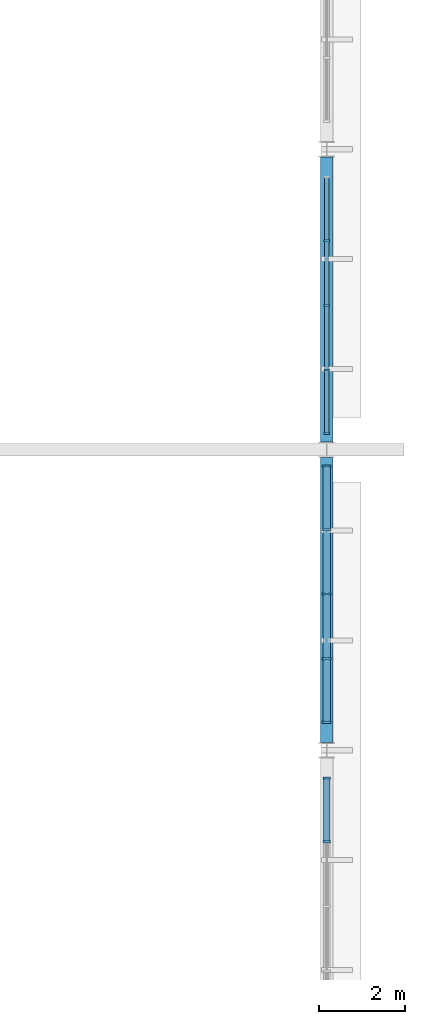
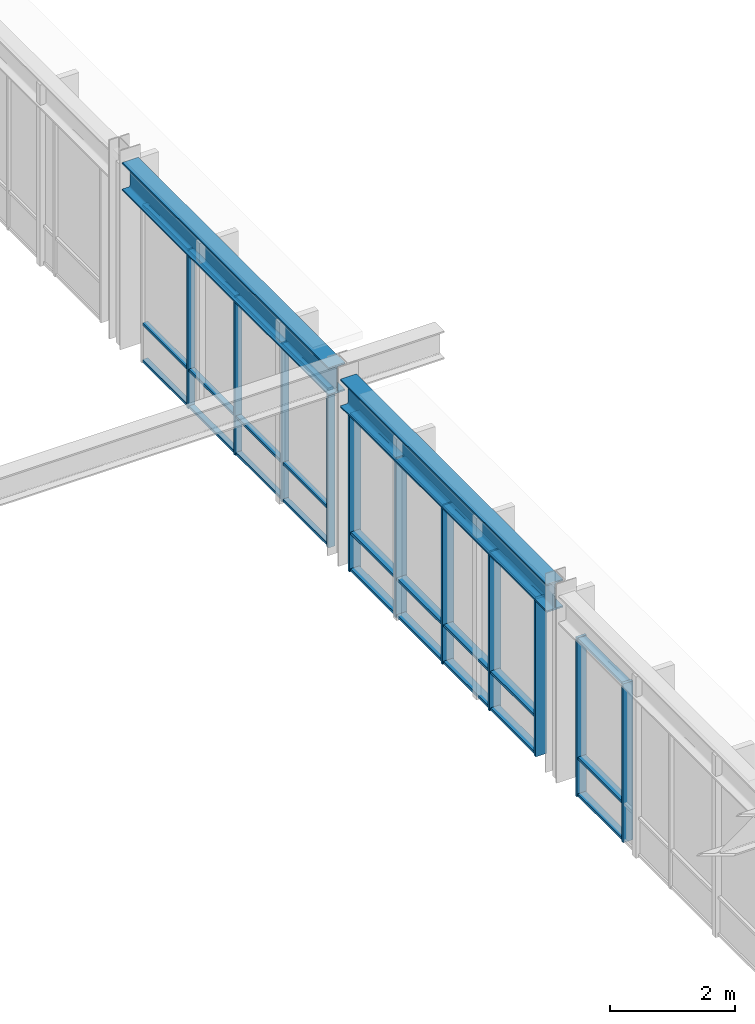
# One storey, part 31 of 98: 38 members, 2 beams, 3 elements without a shape of their own.
"""IFC4 building model written with IfcOpenShell, lengths in metres."""

from ifc_helpers import new_model, si_unit, direction, frame, origin, origin_2d, place, context, subcontext, project, spatial, rectangle, i_section, extrude, material, material_profile, profile_set, type_object, element, aggregate, save


model = new_model("IFC4")

# Units and contexts
model_context = context("Model", 3, precision=1e-05, world=origin(), true_north=direction((0.0, 1.0)))
body_context = subcontext(model_context, "Body", "Model", "MODEL_VIEW")
ifc_project = project(units=[si_unit("LENGTHUNIT", "METRE"), si_unit("AREAUNIT", "SQUARE_METRE"), si_unit("VOLUMEUNIT", "CUBIC_METRE"), si_unit("PLANEANGLEUNIT", "RADIAN"), si_unit("MASSUNIT", "GRAM", prefix="KILO")], contexts=[model_context])

# Site, building, storey
site_placement = place(None, origin())
site = spatial("IfcSite", under=ifc_project, at=site_placement, CompositionType="ELEMENT")
building_placement = place(site_placement, origin())
building = spatial("IfcBuilding", under=site, at=building_placement, Name="Larkveld Mobility Hub", CompositionType="ELEMENT")
storey_placement = place(building_placement, frame((0.0, 0.0, 4.5)))
storey = spatial("IfcBuildingStorey", under=building, at=storey_placement, Name="L01", CompositionType="ELEMENT", Elevation=4.5)

# Beams
ifc_material_1 = material(Name="Steel S355JR", Category="steel")
ifc_material_profile_1 = material_profile(ifc_material_1, i_section(OverallWidth=0.300048828125, OverallDepth=0.550048828125, WebThickness=0.014892578125, FlangeThickness=0.029052734375, FilletRadius=0.027099609375, at=origin_2d()), Name="HEB 550")
ifc_profile_set_1 = profile_set([ifc_material_profile_1], Name="Steel S355JR")
beam_type = type_object("IfcBeamType", Name="BM-STHEB550", PredefinedType="BEAM", material=ifc_profile_set_1)
for number, where, z_axis, x_axis, name in (
    (1, (184.0, 35.18408203125, 3.385009765625), (0.0, 1.0, 0.0), (-1.0, 0.0, 0.0), "Primary N-S Girder L01-0471"),
    (2, (184.0, 42.18408203125, 3.385009765625), (0.0, 1.0, 0.0), (-1.0, 0.0, 0.0), "Primary N-S Girder L01-0472"),
):
    element("IfcBeam", number, at=place(storey_placement, frame(where, z_axis=z_axis, x_axis=x_axis)), inside=storey, type_object=beam_type, Name=name, PredefinedType="BEAM", context=body_context, shape_type="SweptSolid", body=[
        extrude(i_section(OverallWidth=0.300048828125, OverallDepth=0.550048828125, WebThickness=0.014892578125, FlangeThickness=0.029052734375, FilletRadius=0.027099609375, at=origin_2d()), origin(), (0.0, 0.0, 1.0), 6.6318359375),
    ])

# Curtain wall, members
ifc_material_2 = material(Name="Anodised aluminium 6063-T6", Category="aluminium")
curtain_wall_type_1 = type_object("IfcCurtainWallType", Name="CW-SYS-02", PredefinedType="NOTDEFINED", material=ifc_material_2)
curtain_wall_1_placement = place(storey_placement, origin())
curtain_wall_1 = element("IfcCurtainWall", 3, at=curtain_wall_1_placement, inside=storey, type_object=curtain_wall_type_1, Name="Bus Hall Upper East Glazing B1 CW-050", PredefinedType="NOTDEFINED")
ifc_material_profile_2 = material_profile(ifc_material_2, rectangle(XDim=0.050048828125, YDim=0.179931640625, at=origin_2d()), Name="ALU MULL 50x180")
ifc_profile_set_2 = profile_set([ifc_material_profile_2], Name="Anodised aluminium 6063-T6")
member_type_1 = type_object("IfcMemberType", Name="CW-MUL-02", PredefinedType="MULLION", material=ifc_profile_set_2)
member_1_placement = place(storey_placement, frame((184.0, 32.867919921875, -0.001953125), z_axis=(0.0, 0.0, 1.0), x_axis=(0.0, 1.0, 0.0)))
member_1 = element("IfcMember", 4, at=member_1_placement, type_object=member_type_1, Name="CW02 mullion 4", PredefinedType="MULLION", context=body_context, shape_type="SweptSolid", body=[
    extrude(rectangle(XDim=0.050048828125, YDim=0.179931640625, at=origin_2d()), origin(), (0.0, 0.0, 1.0), 3.112060546875),
])
member_2_placement = place(storey_placement, frame((184.0, 34.34912109375, -0.001953125), z_axis=(0.0, 0.0, 1.0), x_axis=(0.0, 1.0, 0.0)))
member_2 = element("IfcMember", 5, at=member_2_placement, type_object=member_type_1, Name="CW02 mullion 5", PredefinedType="MULLION", context=body_context, shape_type="SweptSolid", body=[
    extrude(rectangle(XDim=0.050048828125, YDim=0.179931640625, at=origin_2d()), origin(), (0.0, 0.0, 1.0), 3.112060546875),
])

curtain_wall_type_2 = type_object("IfcCurtainWallType", Name="CW-SYS-03", PredefinedType="NOTDEFINED", material=ifc_material_2)
curtain_wall_2_placement = place(storey_placement, origin())
curtain_wall_2 = element("IfcCurtainWall", 6, at=curtain_wall_2_placement, inside=storey, type_object=curtain_wall_type_2, Name="Bus Hall Upper East Glazing B1 CW-051", PredefinedType="NOTDEFINED")
ifc_material_profile_3 = material_profile(ifc_material_2, rectangle(XDim=0.050048828125, YDim=0.2099609375, at=origin_2d()), Name="ALU MULL 50x210")
ifc_profile_set_3 = profile_set([ifc_material_profile_3], Name="Anodised aluminium 6063-T6")
member_type_2 = type_object("IfcMemberType", Name="CW-MUL-03", PredefinedType="MULLION", material=ifc_profile_set_3)
member_3_placement = place(storey_placement, frame((184.0, 35.65087890625, -0.001953125), z_axis=(0.0, 0.0, 1.0), x_axis=(0.0, 1.0, 0.0)))
member_3 = element("IfcMember", 7, at=member_3_placement, type_object=member_type_2, Name="CW03 mullion 1", PredefinedType="MULLION", context=body_context, shape_type="SweptSolid", body=[
    extrude(rectangle(XDim=0.050048828125, YDim=0.2099609375, at=origin_2d()), origin(), (0.0, 0.0, 1.0), 3.112060546875),
])
member_4_placement = place(storey_placement, frame((184.0, 37.132080078125, -0.001953125), z_axis=(0.0, 0.0, 1.0), x_axis=(0.0, 1.0, 0.0)))
member_4 = element("IfcMember", 8, at=member_4_placement, type_object=member_type_2, Name="CW03 mullion 2", PredefinedType="MULLION", context=body_context, shape_type="SweptSolid", body=[
    extrude(rectangle(XDim=0.050048828125, YDim=0.2099609375, at=origin_2d()), origin(), (0.0, 0.0, 1.0), 3.112060546875),
])
member_5_placement = place(storey_placement, frame((184.0, 38.637939453125, -0.001953125), z_axis=(0.0, 0.0, 1.0), x_axis=(0.0, 1.0, 0.0)))
member_5 = element("IfcMember", 9, at=member_5_placement, type_object=member_type_2, Name="CW03 mullion 3", PredefinedType="MULLION", context=body_context, shape_type="SweptSolid", body=[
    extrude(rectangle(XDim=0.050048828125, YDim=0.2099609375, at=origin_2d()), origin(), (0.0, 0.0, 1.0), 3.112060546875),
])
member_6_placement = place(storey_placement, frame((184.0, 40.14404296875, -0.001953125), z_axis=(0.0, 0.0, 1.0), x_axis=(0.0, 1.0, 0.0)))
member_6 = element("IfcMember", 10, at=member_6_placement, type_object=member_type_2, Name="CW03 mullion 4", PredefinedType="MULLION", context=body_context, shape_type="SweptSolid", body=[
    extrude(rectangle(XDim=0.050048828125, YDim=0.2099609375, at=origin_2d()), origin(), (0.0, 0.0, 1.0), 3.112060546875),
])
member_7_placement = place(storey_placement, frame((184.0, 41.625, -0.001953125), z_axis=(0.0, 0.0, 1.0), x_axis=(0.0, 1.0, 0.0)))
member_7 = element("IfcMember", 11, at=member_7_placement, type_object=member_type_2, Name="CW03 mullion 5", PredefinedType="MULLION", context=body_context, shape_type="SweptSolid", body=[
    extrude(rectangle(XDim=0.050048828125, YDim=0.2099609375, at=origin_2d()), origin(), (0.0, 0.0, 1.0), 3.112060546875),
])

curtain_wall_type_3 = type_object("IfcCurtainWallType", Name="CW-SYS-04", PredefinedType="NOTDEFINED", material=ifc_material_2)
curtain_wall_3_placement = place(storey_placement, origin())
curtain_wall_3 = element("IfcCurtainWall", 12, at=curtain_wall_3_placement, inside=storey, type_object=curtain_wall_type_3, Name="Bus Hall Upper East Glazing B2 CW-052", PredefinedType="NOTDEFINED")
ifc_material_profile_4 = material_profile(ifc_material_2, rectangle(XDim=0.050048828125, YDim=0.1298828125, at=origin_2d()), Name="ALU MULL 50x130")
ifc_profile_set_4 = profile_set([ifc_material_profile_4], Name="Anodised aluminium 6063-T6")
member_type_3 = type_object("IfcMemberType", Name="CW-MUL-04", PredefinedType="MULLION", material=ifc_profile_set_4)
member_8_placement = place(storey_placement, frame((184.0, 42.375, -0.001953125), z_axis=(0.0, 0.0, 1.0), x_axis=(0.0, 1.0, 0.0)))
member_8 = element("IfcMember", 13, at=member_8_placement, type_object=member_type_3, Name="CW04 mullion 1", PredefinedType="MULLION", context=body_context, shape_type="SweptSolid", body=[
    extrude(rectangle(XDim=0.050048828125, YDim=0.1298828125, at=origin_2d()), origin(), (0.0, 0.0, 1.0), 3.112060546875),
])
member_9_placement = place(storey_placement, frame((184.0, 43.85595703125, -0.001953125), z_axis=(0.0, 0.0, 1.0), x_axis=(0.0, 1.0, 0.0)))
member_9 = element("IfcMember", 14, at=member_9_placement, type_object=member_type_3, Name="CW04 mullion 2", PredefinedType="MULLION", context=body_context, shape_type="SweptSolid", body=[
    extrude(rectangle(XDim=0.050048828125, YDim=0.1298828125, at=origin_2d()), origin(), (0.0, 0.0, 1.0), 3.112060546875),
])
member_10_placement = place(storey_placement, frame((184.0, 45.362060546875, -0.001953125), z_axis=(0.0, 0.0, 1.0), x_axis=(0.0, 1.0, 0.0)))
member_10 = element("IfcMember", 15, at=member_10_placement, type_object=member_type_3, Name="CW04 mullion 3", PredefinedType="MULLION", context=body_context, shape_type="SweptSolid", body=[
    extrude(rectangle(XDim=0.050048828125, YDim=0.1298828125, at=origin_2d()), origin(), (0.0, 0.0, 1.0), 3.112060546875),
])
member_11_placement = place(storey_placement, frame((184.0, 46.867919921875, -0.001953125), z_axis=(0.0, 0.0, 1.0), x_axis=(0.0, 1.0, 0.0)))
member_11 = element("IfcMember", 16, at=member_11_placement, type_object=member_type_3, Name="CW04 mullion 4", PredefinedType="MULLION", context=body_context, shape_type="SweptSolid", body=[
    extrude(rectangle(XDim=0.050048828125, YDim=0.1298828125, at=origin_2d()), origin(), (0.0, 0.0, 1.0), 3.112060546875),
])

# Member
ifc_material_profile_5 = material_profile(ifc_material_2, rectangle(XDim=0.14990234375, YDim=0.050048828125, at=origin_2d()), Name="ALU TRAN 50x150")
ifc_profile_set_5 = profile_set([ifc_material_profile_5], Name="Anodised aluminium 6063-T6")
member_type_4 = type_object("IfcMemberType", Name="CW-TRN-02", PredefinedType="USERDEFINED", material=ifc_profile_set_5)
member_12_placement = place(storey_placement, frame((184.0, 32.883056640625, 0.030029296875), z_axis=(0.0, 1.0, 0.0), x_axis=(-1.0, 0.0, 0.0)))
member_12 = element("IfcMember", 17, at=member_12_placement, type_object=member_type_4, Name="CW02 transom 4.1", ObjectType="TRANSOM", PredefinedType="USERDEFINED", context=body_context, shape_type="SweptSolid", body=[
    extrude(rectangle(XDim=0.14990234375, YDim=0.050048828125, at=origin_2d()), origin(), (0.0, 0.0, 1.0), 1.4560546875),
])

member_13_placement = place(storey_placement, frame((184.0, 32.883056640625, 0.75), z_axis=(0.0, 1.0, 0.0), x_axis=(-1.0, 0.0, 0.0)))
member_13 = element("IfcMember", 18, at=member_13_placement, type_object=member_type_4, Name="CW02 transom 4.2", ObjectType="TRANSOM", PredefinedType="USERDEFINED", context=body_context, shape_type="SweptSolid", body=[
    extrude(rectangle(XDim=0.14990234375, YDim=0.050048828125, at=origin_2d()), origin(), (0.0, 0.0, 1.0), 1.4560546875),
])

member_14_placement = place(storey_placement, frame((184.0, 32.883056640625, 3.077880859375), z_axis=(0.0, 1.0, 0.0), x_axis=(-1.0, 0.0, 0.0)))
member_14 = element("IfcMember", 19, at=member_14_placement, type_object=member_type_4, Name="CW02 transom 4.3", ObjectType="TRANSOM", PredefinedType="USERDEFINED", context=body_context, shape_type="SweptSolid", body=[
    extrude(rectangle(XDim=0.14990234375, YDim=0.050048828125, at=origin_2d()), origin(), (0.0, 0.0, 1.0), 1.4560546875),
])

aggregate(curtain_wall_1, [member_1, member_2, member_12, member_13, member_14])

ifc_material_profile_6 = material_profile(ifc_material_2, rectangle(XDim=0.169921875, YDim=0.050048828125, at=origin_2d()), Name="ALU TRAN 50x170")
ifc_profile_set_6 = profile_set([ifc_material_profile_6], Name="Anodised aluminium 6063-T6")
member_type_5 = type_object("IfcMemberType", Name="CW-TRN-03", PredefinedType="USERDEFINED", material=ifc_profile_set_6)
member_15_placement = place(storey_placement, frame((184.0, 35.660888671875, 0.030029296875), z_axis=(0.0, 1.0, 0.0), x_axis=(-1.0, 0.0, 0.0)))
member_15 = element("IfcMember", 20, at=member_15_placement, type_object=member_type_5, Name="CW03 transom 1.1", ObjectType="TRANSOM", PredefinedType="USERDEFINED", context=body_context, shape_type="SweptSolid", body=[
    extrude(rectangle(XDim=0.169921875, YDim=0.050048828125, at=origin_2d()), origin(), (0.0, 0.0, 1.0), 1.4560546875),
])

member_16_placement = place(storey_placement, frame((184.0, 35.660888671875, 0.75), z_axis=(0.0, 1.0, 0.0), x_axis=(-1.0, 0.0, 0.0)))
member_16 = element("IfcMember", 21, at=member_16_placement, type_object=member_type_5, Name="CW03 transom 1.2", ObjectType="TRANSOM", PredefinedType="USERDEFINED", context=body_context, shape_type="SweptSolid", body=[
    extrude(rectangle(XDim=0.169921875, YDim=0.050048828125, at=origin_2d()), origin(), (0.0, 0.0, 1.0), 1.4560546875),
])

member_17_placement = place(storey_placement, frame((184.0, 35.660888671875, 3.077880859375), z_axis=(0.0, 1.0, 0.0), x_axis=(-1.0, 0.0, 0.0)))
member_17 = element("IfcMember", 22, at=member_17_placement, type_object=member_type_5, Name="CW03 transom 1.3", ObjectType="TRANSOM", PredefinedType="USERDEFINED", context=body_context, shape_type="SweptSolid", body=[
    extrude(rectangle(XDim=0.169921875, YDim=0.050048828125, at=origin_2d()), origin(), (0.0, 0.0, 1.0), 1.4560546875),
])

member_18_placement = place(storey_placement, frame((184.0, 37.14697265625, 0.030029296875), z_axis=(0.0, 1.0, 0.0), x_axis=(-1.0, 0.0, 0.0)))
member_18 = element("IfcMember", 23, at=member_18_placement, type_object=member_type_5, Name="CW03 transom 2.1", ObjectType="TRANSOM", PredefinedType="USERDEFINED", context=body_context, shape_type="SweptSolid", body=[
    extrude(rectangle(XDim=0.169921875, YDim=0.050048828125, at=origin_2d()), origin(), (0.0, 0.0, 1.0), 1.47607421875),
])

member_19_placement = place(storey_placement, frame((184.0, 37.14697265625, 0.75), z_axis=(0.0, 1.0, 0.0), x_axis=(-1.0, 0.0, 0.0)))
member_19 = element("IfcMember", 24, at=member_19_placement, type_object=member_type_5, Name="CW03 transom 2.2", ObjectType="TRANSOM", PredefinedType="USERDEFINED", context=body_context, shape_type="SweptSolid", body=[
    extrude(rectangle(XDim=0.169921875, YDim=0.050048828125, at=origin_2d()), origin(), (0.0, 0.0, 1.0), 1.47607421875),
])

member_20_placement = place(storey_placement, frame((184.0, 37.14697265625, 3.077880859375), z_axis=(0.0, 1.0, 0.0), x_axis=(-1.0, 0.0, 0.0)))
member_20 = element("IfcMember", 25, at=member_20_placement, type_object=member_type_5, Name="CW03 transom 2.3", ObjectType="TRANSOM", PredefinedType="USERDEFINED", context=body_context, shape_type="SweptSolid", body=[
    extrude(rectangle(XDim=0.169921875, YDim=0.050048828125, at=origin_2d()), origin(), (0.0, 0.0, 1.0), 1.47607421875),
])

member_21_placement = place(storey_placement, frame((184.0, 38.653076171875, 0.030029296875), z_axis=(0.0, 1.0, 0.0), x_axis=(-1.0, 0.0, 0.0)))
member_21 = element("IfcMember", 26, at=member_21_placement, type_object=member_type_5, Name="CW03 transom 3.1", ObjectType="TRANSOM", PredefinedType="USERDEFINED", context=body_context, shape_type="SweptSolid", body=[
    extrude(rectangle(XDim=0.169921875, YDim=0.050048828125, at=origin_2d()), origin(), (0.0, 0.0, 1.0), 1.475830078125),
])

member_22_placement = place(storey_placement, frame((184.0, 38.653076171875, 0.75), z_axis=(0.0, 1.0, 0.0), x_axis=(-1.0, 0.0, 0.0)))
member_22 = element("IfcMember", 27, at=member_22_placement, type_object=member_type_5, Name="CW03 transom 3.2", ObjectType="TRANSOM", PredefinedType="USERDEFINED", context=body_context, shape_type="SweptSolid", body=[
    extrude(rectangle(XDim=0.169921875, YDim=0.050048828125, at=origin_2d()), origin(), (0.0, 0.0, 1.0), 1.475830078125),
])

member_23_placement = place(storey_placement, frame((184.0, 38.653076171875, 3.077880859375), z_axis=(0.0, 1.0, 0.0), x_axis=(-1.0, 0.0, 0.0)))
member_23 = element("IfcMember", 28, at=member_23_placement, type_object=member_type_5, Name="CW03 transom 3.3", ObjectType="TRANSOM", PredefinedType="USERDEFINED", context=body_context, shape_type="SweptSolid", body=[
    extrude(rectangle(XDim=0.169921875, YDim=0.050048828125, at=origin_2d()), origin(), (0.0, 0.0, 1.0), 1.475830078125),
])

member_24_placement = place(storey_placement, frame((184.0, 40.158935546875, 0.030029296875), z_axis=(0.0, 1.0, 0.0), x_axis=(-1.0, 0.0, 0.0)))
member_24 = element("IfcMember", 29, at=member_24_placement, type_object=member_type_5, Name="CW03 transom 4.1", ObjectType="TRANSOM", PredefinedType="USERDEFINED", context=body_context, shape_type="SweptSolid", body=[
    extrude(rectangle(XDim=0.169921875, YDim=0.050048828125, at=origin_2d()), origin(), (0.0, 0.0, 1.0), 1.4560546875),
])

member_25_placement = place(storey_placement, frame((184.0, 40.158935546875, 0.75), z_axis=(0.0, 1.0, 0.0), x_axis=(-1.0, 0.0, 0.0)))
member_25 = element("IfcMember", 30, at=member_25_placement, type_object=member_type_5, Name="CW03 transom 4.2", ObjectType="TRANSOM", PredefinedType="USERDEFINED", context=body_context, shape_type="SweptSolid", body=[
    extrude(rectangle(XDim=0.169921875, YDim=0.050048828125, at=origin_2d()), origin(), (0.0, 0.0, 1.0), 1.4560546875),
])

member_26_placement = place(storey_placement, frame((184.0, 40.158935546875, 3.077880859375), z_axis=(0.0, 1.0, 0.0), x_axis=(-1.0, 0.0, 0.0)))
member_26 = element("IfcMember", 31, at=member_26_placement, type_object=member_type_5, Name="CW03 transom 4.3", ObjectType="TRANSOM", PredefinedType="USERDEFINED", context=body_context, shape_type="SweptSolid", body=[
    extrude(rectangle(XDim=0.169921875, YDim=0.050048828125, at=origin_2d()), origin(), (0.0, 0.0, 1.0), 1.4560546875),
])

aggregate(curtain_wall_2, [member_3, member_4, member_5, member_6, member_7, member_15, member_16, member_17, member_18, member_19, member_20, member_21, member_22, member_23, member_24, member_25, member_26])

ifc_material_profile_7 = material_profile(ifc_material_2, rectangle(XDim=0.10009765625, YDim=0.050048828125, at=origin_2d()), Name="ALU TRAN 50x100")
ifc_profile_set_7 = profile_set([ifc_material_profile_7], Name="Anodised aluminium 6063-T6")
member_type_6 = type_object("IfcMemberType", Name="CW-TRN-04", PredefinedType="USERDEFINED", material=ifc_profile_set_7)
member_27_placement = place(storey_placement, frame((184.0, 42.385009765625, 0.030029296875), z_axis=(0.0, 1.0, 0.0), x_axis=(-1.0, 0.0, 0.0)))
member_27 = element("IfcMember", 32, at=member_27_placement, type_object=member_type_6, Name="CW04 transom 1.1", ObjectType="TRANSOM", PredefinedType="USERDEFINED", context=body_context, shape_type="SweptSolid", body=[
    extrude(rectangle(XDim=0.10009765625, YDim=0.050048828125, at=origin_2d()), origin(), (0.0, 0.0, 1.0), 1.4560546875),
])

member_28_placement = place(storey_placement, frame((184.0, 42.385009765625, 0.75), z_axis=(0.0, 1.0, 0.0), x_axis=(-1.0, 0.0, 0.0)))
member_28 = element("IfcMember", 33, at=member_28_placement, type_object=member_type_6, Name="CW04 transom 1.2", ObjectType="TRANSOM", PredefinedType="USERDEFINED", context=body_context, shape_type="SweptSolid", body=[
    extrude(rectangle(XDim=0.10009765625, YDim=0.050048828125, at=origin_2d()), origin(), (0.0, 0.0, 1.0), 1.4560546875),
])

member_29_placement = place(storey_placement, frame((184.0, 42.385009765625, 3.077880859375), z_axis=(0.0, 1.0, 0.0), x_axis=(-1.0, 0.0, 0.0)))
member_29 = element("IfcMember", 34, at=member_29_placement, type_object=member_type_6, Name="CW04 transom 1.3", ObjectType="TRANSOM", PredefinedType="USERDEFINED", context=body_context, shape_type="SweptSolid", body=[
    extrude(rectangle(XDim=0.10009765625, YDim=0.050048828125, at=origin_2d()), origin(), (0.0, 0.0, 1.0), 1.4560546875),
])

member_30_placement = place(storey_placement, frame((184.0, 43.87109375, 0.030029296875), z_axis=(0.0, 1.0, 0.0), x_axis=(-1.0, 0.0, 0.0)))
member_30 = element("IfcMember", 35, at=member_30_placement, type_object=member_type_6, Name="CW04 transom 2.1", ObjectType="TRANSOM", PredefinedType="USERDEFINED", context=body_context, shape_type="SweptSolid", body=[
    extrude(rectangle(XDim=0.10009765625, YDim=0.050048828125, at=origin_2d()), origin(), (0.0, 0.0, 1.0), 1.475830078125),
])

member_31_placement = place(storey_placement, frame((184.0, 43.87109375, 0.75), z_axis=(0.0, 1.0, 0.0), x_axis=(-1.0, 0.0, 0.0)))
member_31 = element("IfcMember", 36, at=member_31_placement, type_object=member_type_6, Name="CW04 transom 2.2", ObjectType="TRANSOM", PredefinedType="USERDEFINED", context=body_context, shape_type="SweptSolid", body=[
    extrude(rectangle(XDim=0.10009765625, YDim=0.050048828125, at=origin_2d()), origin(), (0.0, 0.0, 1.0), 1.475830078125),
])

member_32_placement = place(storey_placement, frame((184.0, 43.87109375, 3.077880859375), z_axis=(0.0, 1.0, 0.0), x_axis=(-1.0, 0.0, 0.0)))
member_32 = element("IfcMember", 37, at=member_32_placement, type_object=member_type_6, Name="CW04 transom 2.3", ObjectType="TRANSOM", PredefinedType="USERDEFINED", context=body_context, shape_type="SweptSolid", body=[
    extrude(rectangle(XDim=0.10009765625, YDim=0.050048828125, at=origin_2d()), origin(), (0.0, 0.0, 1.0), 1.475830078125),
])

member_33_placement = place(storey_placement, frame((184.0, 45.376953125, 0.030029296875), z_axis=(0.0, 1.0, 0.0), x_axis=(-1.0, 0.0, 0.0)))
member_33 = element("IfcMember", 38, at=member_33_placement, type_object=member_type_6, Name="CW04 transom 3.1", ObjectType="TRANSOM", PredefinedType="USERDEFINED", context=body_context, shape_type="SweptSolid", body=[
    extrude(rectangle(XDim=0.10009765625, YDim=0.050048828125, at=origin_2d()), origin(), (0.0, 0.0, 1.0), 1.47607421875),
])

member_34_placement = place(storey_placement, frame((184.0, 45.376953125, 0.75), z_axis=(0.0, 1.0, 0.0), x_axis=(-1.0, 0.0, 0.0)))
member_34 = element("IfcMember", 39, at=member_34_placement, type_object=member_type_6, Name="CW04 transom 3.2", ObjectType="TRANSOM", PredefinedType="USERDEFINED", context=body_context, shape_type="SweptSolid", body=[
    extrude(rectangle(XDim=0.10009765625, YDim=0.050048828125, at=origin_2d()), origin(), (0.0, 0.0, 1.0), 1.47607421875),
])

member_35_placement = place(storey_placement, frame((184.0, 45.376953125, 3.077880859375), z_axis=(0.0, 1.0, 0.0), x_axis=(-1.0, 0.0, 0.0)))
member_35 = element("IfcMember", 40, at=member_35_placement, type_object=member_type_6, Name="CW04 transom 3.3", ObjectType="TRANSOM", PredefinedType="USERDEFINED", context=body_context, shape_type="SweptSolid", body=[
    extrude(rectangle(XDim=0.10009765625, YDim=0.050048828125, at=origin_2d()), origin(), (0.0, 0.0, 1.0), 1.47607421875),
])

member_36_placement = place(storey_placement, frame((184.0, 46.883056640625, 0.030029296875), z_axis=(0.0, 1.0, 0.0), x_axis=(-1.0, 0.0, 0.0)))
member_36 = element("IfcMember", 41, at=member_36_placement, type_object=member_type_6, Name="CW04 transom 4.1", ObjectType="TRANSOM", PredefinedType="USERDEFINED", context=body_context, shape_type="SweptSolid", body=[
    extrude(rectangle(XDim=0.10009765625, YDim=0.050048828125, at=origin_2d()), origin(), (0.0, 0.0, 1.0), 1.4560546875),
])

member_37_placement = place(storey_placement, frame((184.0, 46.883056640625, 0.75), z_axis=(0.0, 1.0, 0.0), x_axis=(-1.0, 0.0, 0.0)))
member_37 = element("IfcMember", 42, at=member_37_placement, type_object=member_type_6, Name="CW04 transom 4.2", ObjectType="TRANSOM", PredefinedType="USERDEFINED", context=body_context, shape_type="SweptSolid", body=[
    extrude(rectangle(XDim=0.10009765625, YDim=0.050048828125, at=origin_2d()), origin(), (0.0, 0.0, 1.0), 1.4560546875),
])

member_38_placement = place(storey_placement, frame((184.0, 46.883056640625, 3.077880859375), z_axis=(0.0, 1.0, 0.0), x_axis=(-1.0, 0.0, 0.0)))
member_38 = element("IfcMember", 43, at=member_38_placement, type_object=member_type_6, Name="CW04 transom 4.3", ObjectType="TRANSOM", PredefinedType="USERDEFINED", context=body_context, shape_type="SweptSolid", body=[
    extrude(rectangle(XDim=0.10009765625, YDim=0.050048828125, at=origin_2d()), origin(), (0.0, 0.0, 1.0), 1.4560546875),
])

aggregate(curtain_wall_3, [member_8, member_9, member_10, member_11, member_27, member_28, member_29, member_30, member_31, member_32, member_33, member_34, member_35, member_36, member_37, member_38])

save(model, "model.ifc")
